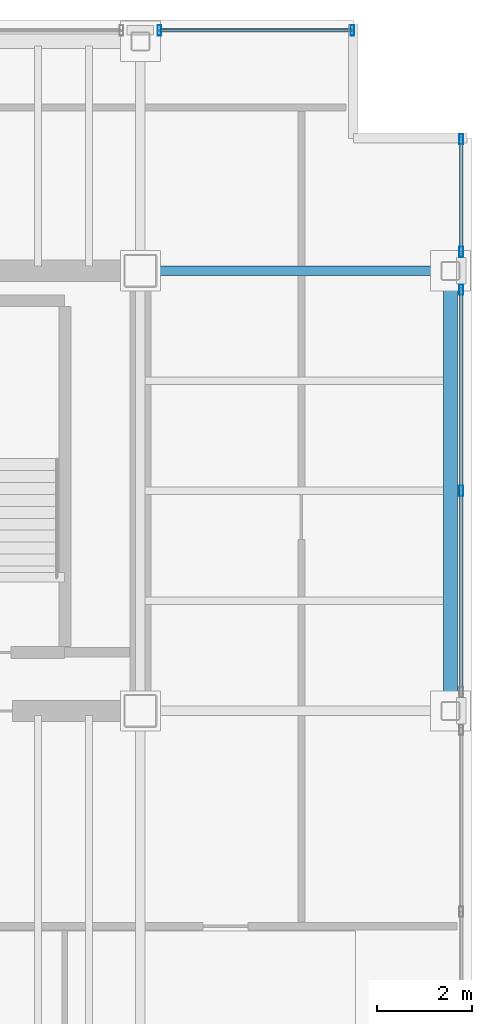
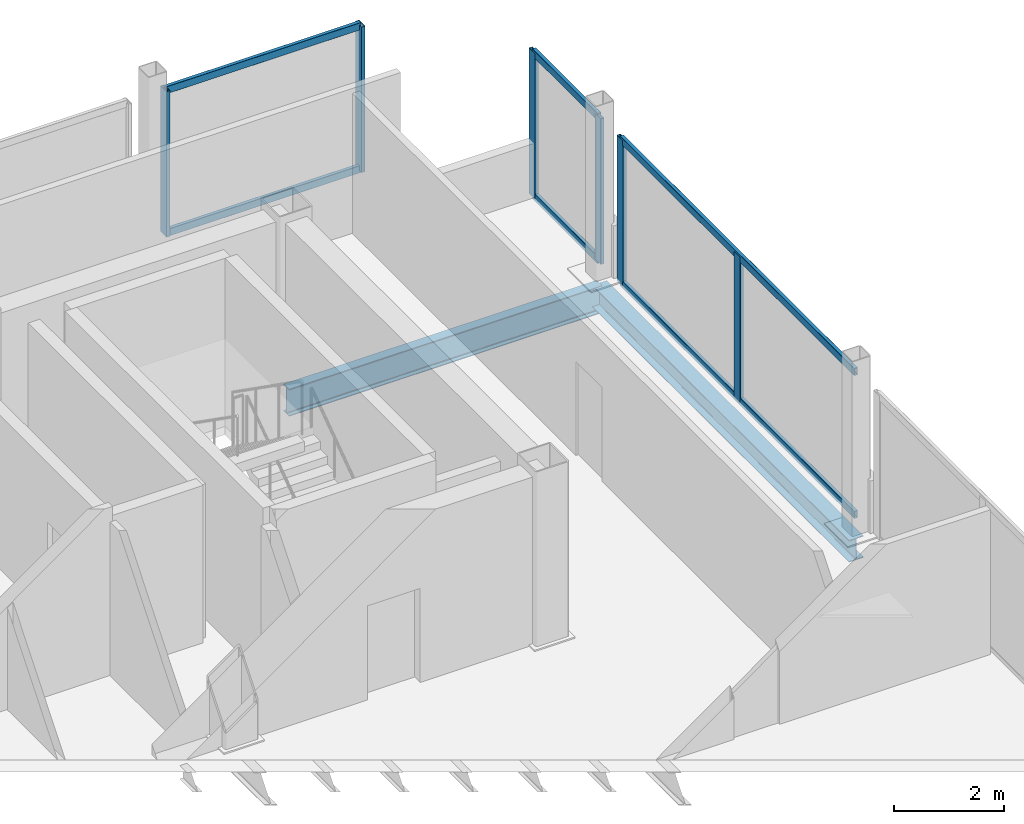
# One storey, part 12 of 17: 12 members, 2 beams, 3 elements without a shape of their own.
"""IFC4 building model written with IfcOpenShell, lengths in metres."""

from ifc_helpers import new_model, si_unit, direction, frame, origin, origin_2d, place, context, subcontext, project, spatial, hollow_rectangle, i_section, extrude, material, material_profile, profile_set, type_object, element, aggregate, save


model = new_model("IFC4")

# Units and contexts
model_context = context("Model", 3, precision=1e-05, world=origin(), true_north=direction((0.0, 1.0)))
body_context = subcontext(model_context, "Body", "Model", "MODEL_VIEW")
ifc_project = project(units=[si_unit("LENGTHUNIT", "METRE"), si_unit("AREAUNIT", "SQUARE_METRE"), si_unit("VOLUMEUNIT", "CUBIC_METRE"), si_unit("PLANEANGLEUNIT", "RADIAN"), si_unit("MASSUNIT", "GRAM", prefix="KILO")], contexts=[model_context])

# Site, building, storey
site_placement = place(None, origin())
site = spatial("IfcSite", under=ifc_project, at=site_placement, CompositionType="ELEMENT")
building_placement = place(site_placement, origin())
building = spatial("IfcBuilding", under=site, at=building_placement, Name="Noeulbin Bourse Tower", CompositionType="ELEMENT")
storey_placement = place(building_placement, frame((0.0, 0.0, 293.0)))
storey = spatial("IfcBuildingStorey", under=building, at=storey_placement, Name="L73", CompositionType="ELEMENT", Elevation=293.0)

# Beams
ifc_material_1 = material(Name="Steel S355", Category="steel")
ifc_material_profile_1 = material_profile(ifc_material_1, i_section(OverallWidth=0.199951171875, OverallDepth=0.60009765625, WebThickness=0.010986328125, FlangeThickness=0.01708984375, FilletRadius=0.02197265625, at=origin_2d()), Name="H-600x200x11x17", Category="LoadBearing")
ifc_profile_set_1 = profile_set([ifc_material_profile_1], Name="Steel S355")
beam_type_1 = type_object("IfcBeamType", Name="BM-GRD-600", PredefinedType="USERDEFINED", material=ifc_profile_set_1)
beam_1_placement = place(storey_placement, frame((44.0, 38.300048828125, -0.47998046875), z_axis=(1.0, 0.0, 0.0), x_axis=(0.0, 1.0, 0.0)))
element("IfcBeam", 1, at=beam_1_placement, inside=storey, type_object=beam_type_1, Name="Tower Primary Girder EW L73-3.4", ObjectType="GIRDER", PredefinedType="USERDEFINED", context=body_context, shape_type="SweptSolid", body=[
    extrude(i_section(OverallWidth=0.199951171875, OverallDepth=0.60009765625, WebThickness=0.010986328125, FlangeThickness=0.01708984375, FilletRadius=0.02197265625, at=origin_2d()), origin(), (0.0, 0.0, 1.0), 6.550048828125),
])
ifc_material_profile_2 = material_profile(ifc_material_1, i_section(OverallWidth=0.300048828125, OverallDepth=0.488037109375, WebThickness=0.010986328125, FlangeThickness=0.01806640625, FilletRadius=0.02197265625, at=origin_2d()), Name="H-488x300x11x18", Category="LoadBearing")
ifc_profile_set_2 = profile_set([ifc_material_profile_2], Name="Steel S355")
beam_type_2 = type_object("IfcBeamType", Name="BM-SPN-488", PredefinedType="SPANDREL", material=ifc_profile_set_2)
beam_2_placement = place(storey_placement, frame((50.550048828125, 29.0, -0.424072265625), z_axis=(0.0, 1.0, 0.0), x_axis=(-1.0, 0.0, 0.0)))
element("IfcBeam", 2, at=beam_2_placement, inside=storey, type_object=beam_type_2, Name="East Spandrel L73-1", PredefinedType="SPANDREL", context=body_context, shape_type="SweptSolid", body=[
    extrude(i_section(OverallWidth=0.300048828125, OverallDepth=0.488037109375, WebThickness=0.010986328125, FlangeThickness=0.01806640625, FilletRadius=0.02197265625, at=origin_2d()), origin(), (0.0, 0.0, 1.0), 9.300048828125),
])

# Curtain wall, members
ifc_material_2 = material(Name="High-Selectivity Low-Iron Glazing", Category="glass")
curtain_wall_type = type_object("IfcCurtainWallType", Name="CW-SYS-4", PredefinedType="NOTDEFINED", material=ifc_material_2)
curtain_wall_1_placement = place(storey_placement, origin())
curtain_wall_1 = element("IfcCurtainWall", 3, at=curtain_wall_1_placement, inside=storey, type_object=curtain_wall_type, Name="Unitised Curtain Wall CW-L73-N-S5", PredefinedType="NOTDEFINED")
ifc_material_3 = material(Name="Anodised Aluminium 6063-T6", Category="aluminium")
ifc_material_profile_3 = material_profile(ifc_material_3, hollow_rectangle(XDim=0.074951171875, YDim=0.219970703125, WallThickness=0.0048828125, InnerFilletRadius=0.00244140625, OuterFilletRadius=0.0048828125, at=origin_2d()), Name="ALU-MULL-75x220x5", Category="LoadBearing")
ifc_profile_set_3 = profile_set([ifc_material_profile_3], Name="Anodised Aluminium 6063-T6")
member_type_1 = type_object("IfcMemberType", Name="CW-SYS-4-MUL", PredefinedType="MULLION", material=ifc_profile_set_3)
member_1_placement = place(storey_placement, frame((44.39990234375, 43.3798828125, -0.02001953125), z_axis=(0.0, 0.0, 1.0), x_axis=(1.0, 0.0, 0.0)))
member_1 = element("IfcMember", 4, at=member_1_placement, type_object=member_type_1, Name="Curtain Wall Mullion CW-L73-N-S5-M00", PredefinedType="MULLION", context=body_context, shape_type="SweptSolid", body=[
    extrude(hollow_rectangle(XDim=0.074951171875, YDim=0.219970703125, WallThickness=0.0048828125, InnerFilletRadius=0.00244140625, OuterFilletRadius=0.0048828125, at=origin_2d()), origin(), (0.0, 0.0, 1.0), 3.219970703125),
])
member_2_placement = place(storey_placement, frame((48.47998046875, 43.3798828125, -0.02001953125), z_axis=(0.0, 0.0, 1.0), x_axis=(1.0, 0.0, 0.0)))
member_2 = element("IfcMember", 5, at=member_2_placement, type_object=member_type_1, Name="Curtain Wall Mullion CW-L73-N-S5-M01", PredefinedType="MULLION", context=body_context, shape_type="SweptSolid", body=[
    extrude(hollow_rectangle(XDim=0.074951171875, YDim=0.219970703125, WallThickness=0.0048828125, InnerFilletRadius=0.00244140625, OuterFilletRadius=0.0048828125, at=origin_2d()), origin(), (0.0, 0.0, 1.0), 3.219970703125),
])

curtain_wall_2_placement = place(storey_placement, origin())
curtain_wall_2 = element("IfcCurtainWall", 6, at=curtain_wall_2_placement, inside=storey, type_object=curtain_wall_type, Name="Unitised Curtain Wall CW-L73-E-S2", PredefinedType="NOTDEFINED")
member_3_placement = place(storey_placement, frame((50.780029296875, 33.64990234375, -0.02001953125), z_axis=(0.0, 0.0, 1.0), x_axis=(1.0, 0.0, 0.0)))
member_3 = element("IfcMember", 7, at=member_3_placement, type_object=member_type_1, Name="Curtain Wall Mullion CW-L73-E-S2-M01", PredefinedType="MULLION", context=body_context, shape_type="SweptSolid", body=[
    extrude(hollow_rectangle(XDim=0.074951171875, YDim=0.219970703125, WallThickness=0.0048828125, InnerFilletRadius=0.00244140625, OuterFilletRadius=0.0048828125, at=origin_2d()), origin(), (0.0, 0.0, 1.0), 3.219970703125),
])
member_4_placement = place(storey_placement, frame((50.780029296875, 37.89990234375, -0.02001953125), z_axis=(0.0, 0.0, 1.0), x_axis=(1.0, 0.0, 0.0)))
member_4 = element("IfcMember", 8, at=member_4_placement, type_object=member_type_1, Name="Curtain Wall Mullion CW-L73-E-S2-M02", PredefinedType="MULLION", context=body_context, shape_type="SweptSolid", body=[
    extrude(hollow_rectangle(XDim=0.074951171875, YDim=0.219970703125, WallThickness=0.0048828125, InnerFilletRadius=0.00244140625, OuterFilletRadius=0.0048828125, at=origin_2d()), origin(), (0.0, 0.0, 1.0), 3.219970703125),
])

curtain_wall_3_placement = place(storey_placement, origin())
curtain_wall_3 = element("IfcCurtainWall", 9, at=curtain_wall_3_placement, inside=storey, type_object=curtain_wall_type, Name="Unitised Curtain Wall CW-L73-E-S3", PredefinedType="NOTDEFINED")
member_5_placement = place(storey_placement, frame((50.780029296875, 38.699951171875, -0.02001953125), z_axis=(0.0, 0.0, 1.0), x_axis=(1.0, 0.0, 0.0)))
member_5 = element("IfcMember", 10, at=member_5_placement, type_object=member_type_1, Name="Curtain Wall Mullion CW-L73-E-S3-M00", PredefinedType="MULLION", context=body_context, shape_type="SweptSolid", body=[
    extrude(hollow_rectangle(XDim=0.074951171875, YDim=0.219970703125, WallThickness=0.0048828125, InnerFilletRadius=0.00244140625, OuterFilletRadius=0.0048828125, at=origin_2d()), origin(), (0.0, 0.0, 1.0), 3.219970703125),
])
member_6_placement = place(storey_placement, frame((50.780029296875, 41.080078125, -0.02001953125), z_axis=(0.0, 0.0, 1.0), x_axis=(1.0, 0.0, 0.0)))
member_6 = element("IfcMember", 11, at=member_6_placement, type_object=member_type_1, Name="Curtain Wall Mullion CW-L73-E-S3-M01", PredefinedType="MULLION", context=body_context, shape_type="SweptSolid", body=[
    extrude(hollow_rectangle(XDim=0.074951171875, YDim=0.219970703125, WallThickness=0.0048828125, InnerFilletRadius=0.00244140625, OuterFilletRadius=0.0048828125, at=origin_2d()), origin(), (0.0, 0.0, 1.0), 3.219970703125),
])

# Member
ifc_material_profile_4 = material_profile(ifc_material_3, hollow_rectangle(XDim=0.074951171875, YDim=0.159912109375, WallThickness=0.0048828125, InnerFilletRadius=0.00244140625, OuterFilletRadius=0.0048828125, at=origin_2d()), Name="ALU-TRAN-75x160x5", Category="LoadBearing")
ifc_profile_set_4 = profile_set([ifc_material_profile_4], Name="Anodised Aluminium 6063-T6")
member_type_2 = type_object("IfcMemberType", Name="CW-SYS-4-TRN", PredefinedType="USERDEFINED", material=ifc_profile_set_4)
member_7_placement = place(storey_placement, frame((44.409912109375, 43.3798828125, 0.010009765625), z_axis=(1.0, 0.0, 0.0), x_axis=(0.0, 1.0, 0.0)))
member_7 = element("IfcMember", 12, at=member_7_placement, type_object=member_type_2, Name="Curtain Wall Transom CW-L73-N-S5-T00", ObjectType="TRANSOM", PredefinedType="USERDEFINED", context=body_context, shape_type="SweptSolid", body=[
    extrude(hollow_rectangle(XDim=0.074951171875, YDim=0.159912109375, WallThickness=0.0048828125, InnerFilletRadius=0.00244140625, OuterFilletRadius=0.0048828125, at=origin_2d()), origin(), (0.0, 0.0, 1.0), 4.06005859375),
])

member_8_placement = place(storey_placement, frame((44.409912109375, 43.3798828125, 3.169921875), z_axis=(1.0, 0.0, 0.0), x_axis=(0.0, 1.0, 0.0)))
member_8 = element("IfcMember", 13, at=member_8_placement, type_object=member_type_2, Name="Curtain Wall Transom CW-L73-N-S5-T01", ObjectType="TRANSOM", PredefinedType="USERDEFINED", context=body_context, shape_type="SweptSolid", body=[
    extrude(hollow_rectangle(XDim=0.074951171875, YDim=0.159912109375, WallThickness=0.0048828125, InnerFilletRadius=0.00244140625, OuterFilletRadius=0.0048828125, at=origin_2d()), origin(), (0.0, 0.0, 1.0), 4.06005859375),
])

aggregate(curtain_wall_1, [member_1, member_2, member_7, member_8])

member_9_placement = place(storey_placement, frame((50.780029296875, 29.409912109375, 0.010009765625), z_axis=(0.0, 1.0, 0.0), x_axis=(-1.0, 0.0, 0.0)))
member_9 = element("IfcMember", 14, at=member_9_placement, type_object=member_type_2, Name="Curtain Wall Transom CW-L73-E-S2-T00", ObjectType="TRANSOM", PredefinedType="USERDEFINED", context=body_context, shape_type="SweptSolid", body=[
    extrude(hollow_rectangle(XDim=0.074951171875, YDim=0.159912109375, WallThickness=0.0048828125, InnerFilletRadius=0.00244140625, OuterFilletRadius=0.0048828125, at=origin_2d()), origin(), (0.0, 0.0, 1.0), 8.47998046875),
])

member_10_placement = place(storey_placement, frame((50.780029296875, 29.409912109375, 3.169921875), z_axis=(0.0, 1.0, 0.0), x_axis=(-1.0, 0.0, 0.0)))
member_10 = element("IfcMember", 15, at=member_10_placement, type_object=member_type_2, Name="Curtain Wall Transom CW-L73-E-S2-T01", ObjectType="TRANSOM", PredefinedType="USERDEFINED", context=body_context, shape_type="SweptSolid", body=[
    extrude(hollow_rectangle(XDim=0.074951171875, YDim=0.159912109375, WallThickness=0.0048828125, InnerFilletRadius=0.00244140625, OuterFilletRadius=0.0048828125, at=origin_2d()), origin(), (0.0, 0.0, 1.0), 8.47998046875),
])

aggregate(curtain_wall_2, [member_3, member_4, member_9, member_10])

member_11_placement = place(storey_placement, frame((50.780029296875, 38.7099609375, 0.010009765625), z_axis=(0.0, 1.0, 0.0), x_axis=(-1.0, 0.0, 0.0)))
member_11 = element("IfcMember", 16, at=member_11_placement, type_object=member_type_2, Name="Curtain Wall Transom CW-L73-E-S3-T00", ObjectType="TRANSOM", PredefinedType="USERDEFINED", context=body_context, shape_type="SweptSolid", body=[
    extrude(hollow_rectangle(XDim=0.074951171875, YDim=0.159912109375, WallThickness=0.0048828125, InnerFilletRadius=0.00244140625, OuterFilletRadius=0.0048828125, at=origin_2d()), origin(), (0.0, 0.0, 1.0), 2.360107421875),
])

member_12_placement = place(storey_placement, frame((50.780029296875, 38.7099609375, 3.169921875), z_axis=(0.0, 1.0, 0.0), x_axis=(-1.0, 0.0, 0.0)))
member_12 = element("IfcMember", 17, at=member_12_placement, type_object=member_type_2, Name="Curtain Wall Transom CW-L73-E-S3-T01", ObjectType="TRANSOM", PredefinedType="USERDEFINED", context=body_context, shape_type="SweptSolid", body=[
    extrude(hollow_rectangle(XDim=0.074951171875, YDim=0.159912109375, WallThickness=0.0048828125, InnerFilletRadius=0.00244140625, OuterFilletRadius=0.0048828125, at=origin_2d()), origin(), (0.0, 0.0, 1.0), 2.360107421875),
])

aggregate(curtain_wall_3, [member_5, member_6, member_11, member_12])

save(model, "model.ifc")
